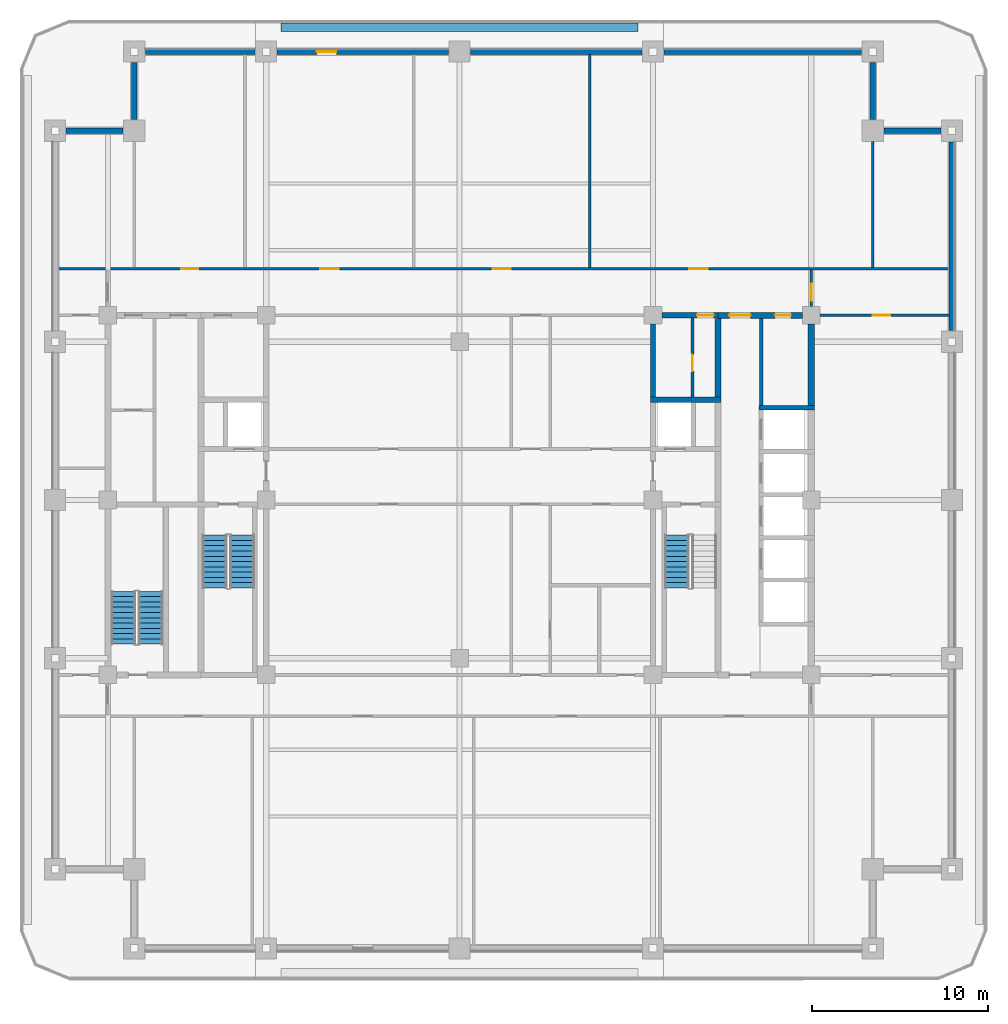
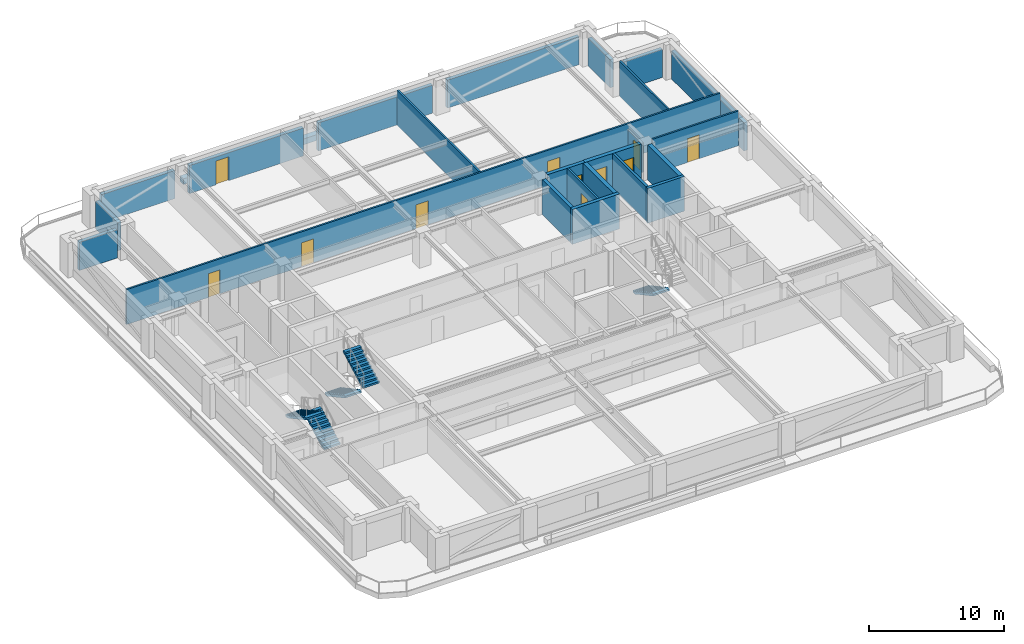
# One storey, part 5 of 13: 24 walls, 11 doors, 5 stair flights, 11 openings, 3 elements without a shape of their own.
"""IFC4 building model written with IfcOpenShell, lengths in metres."""

from ifc_helpers import new_model, si_unit, direction, frame, frame_2d, origin, place, context, subcontext, project, spatial, polyline, rectangle, outline, extrude, material, layer, layer_set, type_object, element, fill, aggregate, save


model = new_model("IFC4")

# Units and contexts
model_context = context("Model", 3, precision=1e-05, world=origin(), true_north=direction((0.0, 1.0)))
body_context = subcontext(model_context, "Body", "Model", "MODEL_VIEW")
ifc_project = project(units=[si_unit("LENGTHUNIT", "METRE"), si_unit("AREAUNIT", "SQUARE_METRE"), si_unit("VOLUMEUNIT", "CUBIC_METRE"), si_unit("PLANEANGLEUNIT", "RADIAN"), si_unit("MASSUNIT", "GRAM", prefix="KILO")], contexts=[model_context])

# Site, building, storey
site_placement = place(None, origin())
site = spatial("IfcSite", under=ifc_project, at=site_placement, CompositionType="ELEMENT")
building_placement = place(site_placement, origin())
building = spatial("IfcBuilding", under=site, at=building_placement, Name="Zulmaris Gate Convention Tower", CompositionType="ELEMENT")
storey_placement = place(building_placement, frame((0.0, 0.0, 112.780029296875)))
storey = spatial("IfcBuildingStorey", under=building, at=storey_placement, Name="L28", CompositionType="ELEMENT", Elevation=112.780029296875)

# Walls
ifc_material_1 = material(Name="Concrete C50/60", Category="concrete")
ifc_layer_1 = layer(ifc_material_1, 0.25, Name="Concrete C50/60")
ifc_layer_set_1 = layer_set([ifc_layer_1], Name="Concrete C50/60")
wall_type_1 = type_object("IfcWallType", Name="CORE-250", PredefinedType="SOLIDWALL", material=ifc_layer_set_1)
wall_1_placement = place(storey_placement, frame((17.02490234375, 5.25, 0.0), z_axis=(0.0, 0.0, 1.0), x_axis=(1.0, 0.0, 0.0)))
element("IfcWall", 1, at=wall_1_placement, inside=storey, type_object=wall_type_1, Name="WL-L28-014", PredefinedType="SOLIDWALL", context=body_context, shape_type="SweptSolid", body=[
    extrude(rectangle(XDim=3.150146484375, YDim=0.25, at=frame_2d((1.5751953125, 0.0))), origin(), (0.0, 0.0, 1.0), 3.144775390625),
])
ifc_layer_2 = layer(ifc_material_1, 0.300048828125, Name="Concrete C50/60")
ifc_layer_set_2 = layer_set([ifc_layer_2], Name="Concrete C50/60")
wall_type_2 = type_object("IfcWallType", Name="CORE-300", PredefinedType="SHEAR", material=ifc_layer_set_2)
wall_2_placement = place(storey_placement, frame((10.85009765625, 5.699951171875, 0.0), z_axis=(0.0, 0.0, 1.0), x_axis=(1.0, 0.0, 0.0)))
element("IfcWall", 2, at=wall_2_placement, inside=storey, type_object=wall_type_2, Name="WL-L28-016", PredefinedType="SHEAR", context=body_context, shape_type="SweptSolid", body=[
    extrude(rectangle(XDim=4.02490234375, YDim=0.300048828125, at=frame_2d((2.012451171875, 0.0))), origin(), (0.0, 0.0, 1.0), 3.144775390625),
])

# Wall, opening, door
wall_3_placement = place(storey_placement, frame((11.50390625, 10.5, 0.0), z_axis=(0.0, 0.0, 1.0), x_axis=(1.0, 0.0, 0.0)))
wall_3 = element("IfcWall", 3, at=wall_3_placement, inside=storey, type_object=wall_type_2, Name="WL-L28-019", PredefinedType="SHEAR", context=body_context, shape_type="SweptSolid", body=[
    extrude(rectangle(XDim=3.196044921875, YDim=0.300048828125, at=frame_2d((1.59814453125, 0.0))), origin(), (0.0, 0.0, 1.0), 3.144775390625),
])
opening_1_placement = place(wall_3_placement, frame((2.0009765625, 0.0, 0.0)))
opening_1 = element("IfcOpeningElement", 4, at=opening_1_placement, cuts=wall_3, Name="Opening D-11", PredefinedType="OPENING", context=body_context, shape_type="SweptSolid", body=[
    extrude(rectangle(XDim=0.949951171875, YDim=2.14990234375, at=frame_2d((0.47509765625, 1.074951171875))), frame((0.0, 0.16015625, 0.0), z_axis=(0.0, -1.0, 0.0), x_axis=(1.0, 0.0, 0.0)), (0.0, 0.0, 1.0), 0.320068359375),
])
ifc_material_2 = material(Name="Fire-Rated Timber", Category="wood")
door_type_1 = type_object("IfcDoorType", Name="DR-950-FD", OperationType="NOTDEFINED", PredefinedType="DOOR", material=ifc_material_2)
door_1_placement = place(opening_1_placement, origin())
door_1 = element("IfcDoor", 5, at=door_1_placement, inside=storey, type_object=door_type_1, Name="L28 Core Linen Closet Door 08", OperationType="SINGLE_SWING_LEFT", OverallHeight=2.14990234375, OverallWidth=0.949951171875, PredefinedType="DOOR", context=body_context, shape_type="SweptSolid", body=[
    extrude(rectangle(XDim=0.949951171875, YDim=2.14990234375, at=frame_2d((0.47509765625, 1.074951171875))), frame((0.0, 0.02490234375, 0.0), z_axis=(0.0, -1.0, 0.0), x_axis=(1.0, 0.0, 0.0)), (0.0, 0.0, 1.0), 0.050048828125),
])
fill(opening_1, door_1)

# Wall
wall_4_placement = place(storey_placement, frame((11.0, 5.85205078125, 0.0), z_axis=(0.0, 0.0, 1.0), x_axis=(0.0, 1.0, 0.0)))
element("IfcWall", 6, at=wall_4_placement, inside=storey, type_object=wall_type_2, Name="WL-L28-050", PredefinedType="SHEAR", context=body_context, shape_type="SweptSolid", body=[
    extrude(rectangle(XDim=4.14404296875, YDim=0.300048828125, at=frame_2d((2.072021484375, 0.0))), origin(), (0.0, 0.0, 1.0), 3.144775390625),
])

# Wall, openings, doors
ifc_material_3 = material(Name="Concrete C55/67", Category="concrete")
ifc_layer_3 = layer(ifc_material_3, 0.35009765625, Name="Concrete C55/67")
ifc_layer_set_3 = layer_set([ifc_layer_3], Name="Concrete C55/67")
wall_type_3 = type_object("IfcWallType", Name="CORE-350", PredefinedType="SHEAR", material=ifc_layer_set_3)
wall_5_placement = place(storey_placement, frame((14.699951171875, 10.5, 0.0), z_axis=(0.0, 0.0, 1.0), x_axis=(1.0, 0.0, 0.0)))
wall_5 = element("IfcWall", 7, at=wall_5_placement, inside=storey, type_object=wall_type_3, Name="WL-L28-020", PredefinedType="SHEAR", context=body_context, shape_type="SweptSolid", body=[
    extrude(rectangle(XDim=4.796142578125, YDim=0.35009765625, at=frame_2d((2.39794921875, 0.0))), origin(), (0.0, 0.0, 1.0), 3.144775390625),
])
opening_2_placement = place(wall_5_placement, frame((0.64990234375, 0.0, 0.0)))
opening_2 = element("IfcOpeningElement", 8, at=opening_2_placement, cuts=wall_5, Name="Opening D-13", PredefinedType="OPENING", context=body_context, shape_type="SweptSolid", body=[
    extrude(rectangle(XDim=1.199951171875, YDim=2.14990234375, at=frame_2d((0.60009765625, 1.074951171875))), frame((0.0, 0.18505859375, 0.0), z_axis=(0.0, -1.0, 0.0), x_axis=(1.0, 0.0, 0.0)), (0.0, 0.0, 1.0), 0.3701171875),
])
opening_3_placement = place(wall_5_placement, frame((3.25, 0.0, 0.0)))
opening_3 = element("IfcOpeningElement", 9, at=opening_3_placement, cuts=wall_5, Name="Opening D-12", PredefinedType="OPENING", context=body_context, shape_type="SweptSolid", body=[
    extrude(rectangle(XDim=0.89990234375, YDim=2.14990234375, at=frame_2d((0.449951171875, 1.074951171875))), frame((0.0, 0.18505859375, 0.0), z_axis=(0.0, -1.0, 0.0), x_axis=(1.0, 0.0, 0.0)), (0.0, 0.0, 1.0), 0.3701171875),
])
ifc_material_4 = material(Name="Fire-Rated Steel", Category="steel")
door_type_2 = type_object("IfcDoorType", Name="DR-1200-FD", OperationType="NOTDEFINED", PredefinedType="DOOR", material=ifc_material_4)
door_2_placement = place(opening_2_placement, origin())
door_2 = element("IfcDoor", 10, at=door_2_placement, inside=storey, type_object=door_type_2, Name="L28 East Lift Lobby North Door 19", OperationType="SINGLE_SWING_RIGHT", OverallHeight=2.14990234375, OverallWidth=1.199951171875, PredefinedType="DOOR", context=body_context, shape_type="SweptSolid", body=[
    extrude(rectangle(XDim=1.199951171875, YDim=2.14990234375, at=frame_2d((0.60009765625, 1.074951171875))), frame((0.0, 0.02490234375, 0.0), z_axis=(0.0, -1.0, 0.0), x_axis=(1.0, 0.0, 0.0)), (0.0, 0.0, 1.0), 0.050048828125),
])
fill(opening_2, door_2)
door_type_3 = type_object("IfcDoorType", Name="DR-900-FD", OperationType="NOTDEFINED", PredefinedType="DOOR", material=ifc_material_2)
door_3_placement = place(opening_3_placement, origin())
door_3 = element("IfcDoor", 11, at=door_3_placement, inside=storey, type_object=door_type_3, Name="L28 Mid-Rise Archive Door 20", OperationType="SINGLE_SWING_LEFT", OverallHeight=2.14990234375, OverallWidth=0.89990234375, PredefinedType="DOOR", context=body_context, shape_type="SweptSolid", body=[
    extrude(rectangle(XDim=0.89990234375, YDim=2.14990234375, at=frame_2d((0.449951171875, 1.074951171875))), frame((0.0, 0.02490234375, 0.0), z_axis=(0.0, -1.0, 0.0), x_axis=(1.0, 0.0, 0.0)), (0.0, 0.0, 1.0), 0.050048828125),
])
fill(opening_3, door_3)

# Walls
wall_6_placement = place(storey_placement, frame((14.699951171875, 5.85205078125, 0.0), z_axis=(0.0, 0.0, 1.0), x_axis=(0.0, 1.0, 0.0)))
element("IfcWall", 12, at=wall_6_placement, inside=storey, type_object=wall_type_3, Name="WL-L28-056", PredefinedType="SHEAR", context=body_context, shape_type="SweptSolid", body=[
    extrude(rectangle(XDim=4.470947265625, YDim=0.35009765625, at=frame_2d((2.2353515625, 0.0))), origin(), (0.0, 0.0, 1.0), 3.144775390625),
])
wall_7_placement = place(storey_placement, frame((20.0, 5.376953125, 0.0), z_axis=(0.0, 0.0, 1.0), x_axis=(0.0, 1.0, 0.0)))
element("IfcWall", 13, at=wall_7_placement, inside=storey, type_object=wall_type_3, Name="WL-L28-068", PredefinedType="SHEAR", context=body_context, shape_type="SweptSolid", body=[
    extrude(rectangle(XDim=4.619140625, YDim=0.35009765625, at=frame_2d((2.3095703125, 0.0))), origin(), (0.0, 0.0, 1.0), 3.144775390625),
])

# Wall, opening, door
ifc_material_5 = material(Name="Gypsum Metal Stud Partition")
ifc_layer_4 = layer(ifc_material_5, 0.14990234375, Name="Gypsum Metal Stud Partition")
ifc_layer_set_4 = layer_set([ifc_layer_4], Name="Gypsum Metal Stud Partition")
wall_type_4 = type_object("IfcWallType", Name="PART-150", PredefinedType="PARTITIONING", material=ifc_layer_set_4)
wall_8_placement = place(storey_placement, frame((20.506103515625, 10.5, 0.0), z_axis=(0.0, 0.0, 1.0), x_axis=(1.0, 0.0, 0.0)))
wall_8 = element("IfcWall", 14, at=wall_8_placement, inside=storey, type_object=wall_type_4, Name="WL-L28-032", PredefinedType="PARTITIONING", context=body_context, shape_type="SweptSolid", body=[
    extrude(rectangle(XDim=7.328857421875, YDim=0.14990234375, at=frame_2d((3.66455078125, 0.0))), origin(), (0.0, 0.0, 1.0), 3.144775390625),
])
opening_4_placement = place(wall_8_placement, frame((2.993896484375, 0.0, 0.0)))
opening_4 = element("IfcOpeningElement", 15, at=opening_4_placement, cuts=wall_8, Name="Opening D-10", PredefinedType="OPENING", context=body_context, shape_type="SweptSolid", body=[
    extrude(rectangle(XDim=1.0, YDim=2.14990234375, at=frame_2d((0.5, 1.074951171875))), frame((0.0, 0.0849609375, 0.0), z_axis=(0.0, -1.0, 0.0), x_axis=(1.0, 0.0, 0.0)), (0.0, 0.0, 1.0), 0.169921875),
])
door_type_4 = type_object("IfcDoorType", Name="DR-1000-FD", OperationType="NOTDEFINED", PredefinedType="DOOR", material=ifc_material_2)
door_4_placement = place(opening_4_placement, origin())
door_4 = element("IfcDoor", 16, at=door_4_placement, inside=storey, type_object=door_type_4, Name="L28 East Workplace North Door 45", OperationType="SINGLE_SWING_RIGHT", OverallHeight=2.14990234375, OverallWidth=1.0, PredefinedType="DOOR", context=body_context, shape_type="SweptSolid", body=[
    extrude(rectangle(XDim=1.0, YDim=2.14990234375, at=frame_2d((0.5, 1.074951171875))), frame((0.0, 0.02490234375, 0.0), z_axis=(0.0, -1.0, 0.0), x_axis=(1.0, 0.0, 0.0)), (0.0, 0.0, 1.0), 0.050048828125),
])
fill(opening_4, door_4)

# Wall, openings, doors
wall_9_placement = place(storey_placement, frame((-22.8349609375, 13.14990234375, 0.0), z_axis=(0.0, 0.0, 1.0), x_axis=(1.0, 0.0, 0.0)))
wall_9 = element("IfcWall", 17, at=wall_9_placement, inside=storey, type_object=wall_type_4, Name="WL-L28-033", PredefinedType="PARTITIONING", context=body_context, shape_type="SweptSolid", body=[
    extrude(rectangle(XDim=50.669921875, YDim=0.14990234375, at=frame_2d((25.3349609375, 0.0))), origin(), (0.0, 0.0, 1.0), 3.144775390625),
])
opening_5_placement = place(wall_9_placement, frame((7.010009765625, 0.0, 0.0)))
opening_5 = element("IfcOpeningElement", 18, at=opening_5_placement, cuts=wall_9, Name="Opening D-11", PredefinedType="OPENING", context=body_context, shape_type="SweptSolid", body=[
    extrude(rectangle(XDim=0.949951171875, YDim=2.14990234375, at=frame_2d((0.47509765625, 1.074951171875))), frame((0.0, 0.0849609375, 0.0), z_axis=(0.0, -1.0, 0.0), x_axis=(1.0, 0.0, 0.0)), (0.0, 0.0, 1.0), 0.169921875),
])
opening_6_placement = place(wall_9_placement, frame((14.909912109375, 0.0, 0.0)))
opening_6 = element("IfcOpeningElement", 19, at=opening_6_placement, cuts=wall_9, Name="Opening D-09", PredefinedType="OPENING", context=body_context, shape_type="SweptSolid", body=[
    extrude(rectangle(XDim=1.050048828125, YDim=2.14990234375, at=frame_2d((0.52490234375, 1.074951171875))), frame((0.0, 0.0849609375, 0.0), z_axis=(0.0, -1.0, 0.0), x_axis=(1.0, 0.0, 0.0)), (0.0, 0.0, 1.0), 0.169921875),
])
opening_7_placement = place(wall_9_placement, frame((24.7099609375, 0.0, 0.0)))
opening_7 = element("IfcOpeningElement", 20, at=opening_7_placement, cuts=wall_9, Name="Opening D-09", PredefinedType="OPENING", context=body_context, shape_type="SweptSolid", body=[
    extrude(rectangle(XDim=1.050048828125, YDim=2.14990234375, at=frame_2d((0.52490234375, 1.074951171875))), frame((0.0, 0.0849609375, 0.0), z_axis=(0.0, -1.0, 0.0), x_axis=(1.0, 0.0, 0.0)), (0.0, 0.0, 1.0), 0.169921875),
])
opening_8_placement = place(wall_9_placement, frame((35.909912109375, 0.0, 0.0)))
opening_8 = element("IfcOpeningElement", 21, at=opening_8_placement, cuts=wall_9, Name="Opening D-09", PredefinedType="OPENING", context=body_context, shape_type="SweptSolid", body=[
    extrude(rectangle(XDim=1.050048828125, YDim=2.14990234375, at=frame_2d((0.52490234375, 1.074951171875))), frame((0.0, 0.0849609375, 0.0), z_axis=(0.0, -1.0, 0.0), x_axis=(1.0, 0.0, 0.0)), (0.0, 0.0, 1.0), 0.169921875),
])
door_type_5 = type_object("IfcDoorType", Name="DR-1050-FD", OperationType="NOTDEFINED", PredefinedType="DOOR", material=ifc_material_4)
door_5_placement = place(opening_6_placement, origin())
door_5 = element("IfcDoor", 22, at=door_5_placement, inside=storey, type_object=door_type_5, Name="L28 Quiet Focus Study Door 26", OperationType="SINGLE_SWING_LEFT", OverallHeight=2.14990234375, OverallWidth=1.050048828125, PredefinedType="DOOR", context=body_context, shape_type="SweptSolid", body=[
    extrude(rectangle(XDim=1.050048828125, YDim=2.14990234375, at=frame_2d((0.52490234375, 1.074951171875))), frame((0.0, 0.02490234375, 0.0), z_axis=(0.0, -1.0, 0.0), x_axis=(1.0, 0.0, 0.0)), (0.0, 0.0, 1.0), 0.050048828125),
])
fill(opening_6, door_5)
door_6_placement = place(opening_7_placement, origin())
door_6 = element("IfcDoor", 23, at=door_6_placement, inside=storey, type_object=door_type_5, Name="L28 Legal Library Room Door 27", OperationType="SINGLE_SWING_RIGHT", OverallHeight=2.14990234375, OverallWidth=1.050048828125, PredefinedType="DOOR", context=body_context, shape_type="SweptSolid", body=[
    extrude(rectangle(XDim=1.050048828125, YDim=2.14990234375, at=frame_2d((0.52490234375, 1.074951171875))), frame((0.0, 0.02490234375, 0.0), z_axis=(0.0, -1.0, 0.0), x_axis=(1.0, 0.0, 0.0)), (0.0, 0.0, 1.0), 0.050048828125),
])
fill(opening_7, door_6)
door_7_placement = place(opening_8_placement, origin())
door_7 = element("IfcDoor", 24, at=door_7_placement, inside=storey, type_object=door_type_5, Name="L28 Editorial Focus Suite Door 28", OperationType="SINGLE_SWING_LEFT", OverallHeight=2.14990234375, OverallWidth=1.050048828125, PredefinedType="DOOR", context=body_context, shape_type="SweptSolid", body=[
    extrude(rectangle(XDim=1.050048828125, YDim=2.14990234375, at=frame_2d((0.52490234375, 1.074951171875))), frame((0.0, 0.02490234375, 0.0), z_axis=(0.0, -1.0, 0.0), x_axis=(1.0, 0.0, 0.0)), (0.0, 0.0, 1.0), 0.050048828125),
])
fill(opening_8, door_7)
door_8_placement = place(opening_5_placement, origin())
door_8 = element("IfcDoor", 25, at=door_8_placement, inside=storey, type_object=door_type_1, Name="L28 Research Reading Room Door 25", OperationType="SINGLE_SWING_RIGHT", OverallHeight=2.14990234375, OverallWidth=0.949951171875, PredefinedType="DOOR", context=body_context, shape_type="SweptSolid", body=[
    extrude(rectangle(XDim=0.949951171875, YDim=2.14990234375, at=frame_2d((0.47509765625, 1.074951171875))), frame((0.0, 0.02490234375, 0.0), z_axis=(0.0, -1.0, 0.0), x_axis=(1.0, 0.0, 0.0)), (0.0, 0.0, 1.0), 0.050048828125),
])
fill(opening_5, door_8)

# Wall
wall_10_placement = place(storey_placement, frame((7.39990234375, 13.22802734375, 0.0), z_axis=(0.0, 0.0, 1.0), x_axis=(0.0, 1.0, 0.0)))
element("IfcWall", 26, at=wall_10_placement, inside=storey, type_object=wall_type_4, Name="WL-L28-084", PredefinedType="PARTITIONING", context=body_context, shape_type="SweptSolid", body=[
    extrude(rectangle(XDim=12.10693359375, YDim=0.14990234375, at=frame_2d((6.053466796875, 0.0))), origin(), (0.0, 0.0, 1.0), 3.144775390625),
])

# Wall, opening, door
wall_11_placement = place(storey_placement, frame((13.25, 5.85302734375, 0.0), z_axis=(0.0, 0.0, 1.0), x_axis=(0.0, 1.0, 0.0)))
wall_11 = element("IfcWall", 27, at=wall_11_placement, inside=storey, type_object=wall_type_4, Name="WL-L28-087", PredefinedType="PARTITIONING", context=body_context, shape_type="SweptSolid", body=[
    extrude(rectangle(XDim=4.493896484375, YDim=0.14990234375, at=frame_2d((2.2470703125, 0.0))), origin(), (0.0, 0.0, 1.0), 3.144775390625),
])
opening_9_placement = place(wall_11_placement, frame((1.471923828125, 0.0, 0.0)))
opening_9 = element("IfcOpeningElement", 28, at=opening_9_placement, cuts=wall_11, Name="Opening D-11", PredefinedType="OPENING", context=body_context, shape_type="SweptSolid", body=[
    extrude(rectangle(XDim=0.949951171875, YDim=2.14990234375, at=frame_2d((0.47509765625, 1.074951171875))), frame((0.0, 0.0849609375, 0.0), z_axis=(0.0, -1.0, 0.0), x_axis=(1.0, 0.0, 0.0)), (0.0, 0.0, 1.0), 0.169921875),
])
door_9_placement = place(opening_9_placement, origin())
door_9 = element("IfcDoor", 29, at=door_9_placement, inside=storey, type_object=door_type_1, Name="L28 Core Service Pantry Door 09", OperationType="SINGLE_SWING_RIGHT", OverallHeight=2.14990234375, OverallWidth=0.949951171875, PredefinedType="DOOR", context=body_context, shape_type="SweptSolid", body=[
    extrude(rectangle(XDim=0.949951171875, YDim=2.14990234375, at=frame_2d((0.47509765625, 1.074951171875))), frame((0.0, 0.02490234375, 0.0), z_axis=(0.0, -1.0, 0.0), x_axis=(1.0, 0.0, 0.0)), (0.0, 0.0, 1.0), 0.050048828125),
])
fill(opening_9, door_9)

wall_12_placement = place(storey_placement, frame((20.0, 11.006103515625, 0.0), z_axis=(0.0, 0.0, 1.0), x_axis=(0.0, 1.0, 0.0)))
wall_12 = element("IfcWall", 30, at=wall_12_placement, inside=storey, type_object=wall_type_4, Name="WL-L28-090", PredefinedType="PARTITIONING", context=body_context, shape_type="SweptSolid", body=[
    extrude(rectangle(XDim=2.06591796875, YDim=0.14990234375, at=frame_2d((1.032958984375, 0.0))), origin(), (0.0, 0.0, 1.0), 2.634765625),
])
opening_10_placement = place(wall_12_placement, frame((0.339111328125, 0.0, 0.0)))
opening_10 = element("IfcOpeningElement", 31, at=opening_10_placement, cuts=wall_12, Name="Opening D-11", PredefinedType="OPENING", context=body_context, shape_type="SweptSolid", body=[
    extrude(rectangle(XDim=0.949951171875, YDim=2.14990234375, at=frame_2d((0.47509765625, 1.074951171875))), frame((0.0, 0.0849609375, 0.0), z_axis=(0.0, -1.0, 0.0), x_axis=(1.0, 0.0, 0.0)), (0.0, 0.0, 1.0), 0.169921875),
])
door_10_placement = place(opening_10_placement, origin())
door_10 = element("IfcDoor", 32, at=door_10_placement, inside=storey, type_object=door_type_1, Name="L28 NE Spur Door 43", OperationType="SINGLE_SWING_RIGHT", OverallHeight=2.14990234375, OverallWidth=0.949951171875, PredefinedType="DOOR", context=body_context, shape_type="SweptSolid", body=[
    extrude(rectangle(XDim=0.949951171875, YDim=2.14990234375, at=frame_2d((0.47509765625, 1.074951171875))), frame((0.0, 0.02490234375, 0.0), z_axis=(0.0, -1.0, 0.0), x_axis=(1.0, 0.0, 0.0)), (0.0, 0.0, 1.0), 0.050048828125),
])
fill(opening_10, door_10)

# Walls
wall_13_placement = place(storey_placement, frame((23.5, 13.22802734375, 0.0), z_axis=(0.0, 0.0, 1.0), x_axis=(0.0, 1.0, 0.0)))
element("IfcWall", 33, at=wall_13_placement, inside=storey, type_object=wall_type_4, Name="WL-L28-092", PredefinedType="PARTITIONING", context=body_context, shape_type="SweptSolid", body=[
    extrude(rectangle(XDim=7.166015625, YDim=0.14990234375, at=frame_2d((3.5830078125, 0.0))), origin(), (0.0, 0.0, 1.0), 3.144775390625),
])
ifc_material_6 = material(Name="Autoclaved Aerated Concrete Block and Plasterboard", Category="concrete")
ifc_layer_5 = layer(ifc_material_6, 0.199951171875, Name="Autoclaved Aerated Concrete Block and Plasterboard")
ifc_layer_set_5 = layer_set([ifc_layer_5], Name="Autoclaved Aerated Concrete Block and Plasterboard")
wall_type_5 = type_object("IfcWallType", Name="PART-200", PredefinedType="PARTITIONING", material=ifc_layer_set_5)
wall_14_placement = place(storey_placement, frame((17.14990234375, 5.3779296875, 0.0), z_axis=(0.0, 0.0, 1.0), x_axis=(0.0, 1.0, 0.0)))
element("IfcWall", 34, at=wall_14_placement, inside=storey, type_object=wall_type_5, Name="WL-L28-088", PredefinedType="PARTITIONING", context=body_context, shape_type="SweptSolid", body=[
    extrude(rectangle(XDim=4.944091796875, YDim=0.199951171875, at=frame_2d((2.47216796875, 0.0))), origin(), (0.0, 0.0, 1.0), 3.144775390625),
])
ifc_material_7 = material(Name="Botanical Green Glazed Precast Concrete C40/50", Category="concrete")
ifc_layer_6 = layer(ifc_material_7, 0.419921875, Name="Botanical Green Glazed Precast Concrete C40/50")
ifc_layer_set_6 = layer_set([ifc_layer_6], Name="Botanical Green Glazed Precast Concrete C40/50")
wall_type_6 = type_object("IfcWallType", Name="PLANTER-CURB-200", PredefinedType="PARAPET", material=ifc_layer_set_6)
wall_15_placement = place(storey_placement, frame((-10.14990234375, 26.8798828125, -0.0400390625), z_axis=(0.0, 0.0, 1.0), x_axis=(1.0, 0.0, 0.0)))
element("IfcWall", 35, at=wall_15_placement, inside=storey, type_object=wall_type_6, Name="L28 Full-Length Balcony Tree Planter Trough", PredefinedType="PARAPET", context=body_context, shape_type="SweptSolid", body=[
    extrude(rectangle(XDim=20.2998046875, YDim=0.47998046875, at=frame_2d((10.14990234375, 0.0))), origin(), (0.0, 0.0, 1.0), 0.52001953125),
])
ifc_material_8 = material(Name="Precast concrete C40/50", Category="concrete")
ifc_layer_7 = layer(ifc_material_8, 0.300048828125, Name="Precast concrete C40/50")
ifc_layer_set_7 = layer_set([ifc_layer_7], Name="Precast concrete C40/50")
wall_type_7 = type_object("IfcWallType", Name="PRECAST-PIER-300", PredefinedType="STANDARD", material=ifc_layer_set_7)
for number, where, z_axis, x_axis, name in (
    (36, (27.3701171875, 21.0, 0.0), (0.0, 0.0, 1.0), (-1.0, 0.0, 0.0), "EW-L28-NOTCH-NE1_0"),
    (37, (23.5, 21.6298828125, 0.0), (0.0, 0.0, 1.0), (0.0, 1.0, 0.0), "EW-L28-NOTCH-NE2_0"),
    (38, (-18.5, 24.8701171875, 0.0), (0.0, 0.0, 1.0), (0.0, -1.0, 0.0), "EW-L28-NOTCH-NW1_0"),
    (39, (-19.1298828125, 21.0, 0.0), (0.0, 0.0, 1.0), (-1.0, 0.0, 0.0), "EW-L28-NOTCH-NW2_0"),
):
    element("IfcWall", number, at=place(storey_placement, frame(where, z_axis=z_axis, x_axis=x_axis)), inside=storey, type_object=wall_type_7, Name=name, PredefinedType="STANDARD", context=body_context, shape_type="SweptSolid", body=[
        extrude(rectangle(XDim=3.240234375, YDim=0.300048828125, at=frame_2d((1.6201171875, 0.0))), origin(), (0.0, 0.0, 1.0), 2.536865234375),
    ])
wall_16_placement = place(storey_placement, frame((-11.6298828125, 25.5, 0.0), z_axis=(0.0, 0.0, 1.0), x_axis=(-1.0, 0.0, 0.0)))
element("IfcWall", 40, at=wall_16_placement, inside=storey, type_object=wall_type_7, Name="EW-L28-N-0_0", PredefinedType="STANDARD", context=body_context, shape_type="SweptSolid", body=[
    extrude(rectangle(XDim=6.240234375, YDim=0.300048828125, at=frame_2d((3.1201171875, 0.0))), origin(), (0.0, 0.0, 1.0), 2.536865234375),
])

# Wall, opening, door
wall_17_placement = place(storey_placement, frame((-0.6298828125, 25.5, 0.0), z_axis=(0.0, 0.0, 1.0), x_axis=(-1.0, 0.0, 0.0)))
wall_17 = element("IfcWall", 41, at=wall_17_placement, inside=storey, type_object=wall_type_7, Name="EW-L28-N-1_0", PredefinedType="STANDARD", context=body_context, shape_type="SweptSolid", body=[
    extrude(rectangle(XDim=9.740234375, YDim=0.300048828125, at=frame_2d((4.8701171875, 0.0))), origin(), (0.0, 0.0, 1.0), 2.536865234375),
])
opening_11_placement = place(wall_17_placement, frame((6.3798828125, 0.0, 0.0)))
opening_11 = element("IfcOpeningElement", 42, at=opening_11_placement, cuts=wall_17, Name="Opening D-04", PredefinedType="OPENING", context=body_context, shape_type="SweptSolid", body=[
    extrude(rectangle(XDim=1.10009765625, YDim=2.14990234375, at=frame_2d((0.550048828125, 1.074951171875))), frame((0.0, 0.16015625, 0.0), z_axis=(0.0, -1.0, 0.0), x_axis=(1.0, 0.0, 0.0)), (0.0, 0.0, 1.0), 0.320068359375),
])
ifc_material_9 = material(Name="Anodised Aluminium and Laminated Glass", Category="aluminium")
door_type_6 = type_object("IfcDoorType", Name="ED-1100", OperationType="SINGLE_SWING_RIGHT", PredefinedType="DOOR", material=ifc_material_9)
door_11_placement = place(opening_11_placement, origin())
door_11 = element("IfcDoor", 43, at=door_11_placement, inside=storey, type_object=door_type_6, Name="L28 N Planted Terrace Door", OperationType="SINGLE_SWING_LEFT", OverallHeight=2.14990234375, OverallWidth=1.10009765625, PredefinedType="DOOR", context=body_context, shape_type="SweptSolid", body=[
    extrude(rectangle(XDim=1.10009765625, YDim=2.14990234375, at=frame_2d((0.550048828125, 1.074951171875))), frame((0.0, 0.02490234375, 0.0), z_axis=(0.0, -1.0, 0.0), x_axis=(1.0, 0.0, 0.0)), (0.0, 0.0, 1.0), 0.050048828125),
])
fill(opening_11, door_11)

# Walls
wall_18_placement = place(storey_placement, frame((10.3701171875, 25.5, 0.0), z_axis=(0.0, 0.0, 1.0), x_axis=(-1.0, 0.0, 0.0)))
element("IfcWall", 44, at=wall_18_placement, inside=storey, type_object=wall_type_7, Name="EW-L28-N-2_0", PredefinedType="STANDARD", context=body_context, shape_type="SweptSolid", body=[
    extrude(rectangle(XDim=9.740234375, YDim=0.300048828125, at=frame_2d((4.8701171875, 0.0))), origin(), (0.0, 0.0, 1.0), 2.536865234375),
])
wall_19_placement = place(storey_placement, frame((22.8701171875, 25.5, 0.0), z_axis=(0.0, 0.0, 1.0), x_axis=(-1.0, 0.0, 0.0)))
element("IfcWall", 45, at=wall_19_placement, inside=storey, type_object=wall_type_7, Name="EW-L28-N-3_0", PredefinedType="STANDARD", context=body_context, shape_type="SweptSolid", body=[
    extrude(rectangle(XDim=11.240234375, YDim=0.300048828125, at=frame_2d((5.6201171875, 0.0))), origin(), (0.0, 0.0, 1.0), 2.536865234375),
])
wall_20_placement = place(storey_placement, frame((28.0, 9.6298828125, 0.0), z_axis=(0.0, 0.0, 1.0), x_axis=(0.0, 1.0, 0.0)))
element("IfcWall", 46, at=wall_20_placement, inside=storey, type_object=wall_type_7, Name="EW-L28-E-3_0", PredefinedType="STANDARD", context=body_context, shape_type="SweptSolid", body=[
    extrude(rectangle(XDim=10.740234375, YDim=0.300048828125, at=frame_2d((5.3701171875, 0.0))), origin(), (0.0, 0.0, 1.0), 2.536865234375),
])

# Stair, stair flights
ifc_material_10 = material(Name="Concrete C45/55", Category="concrete")
stair_type = type_object("IfcStairType", Name="ST-CORE-DOGLEG", PredefinedType="HALF_TURN_STAIR", material=ifc_material_10)
stair_1_placement = place(storey_placement, origin())
stair_1 = element("IfcStair", 47, at=stair_1_placement, inside=storey, type_object=stair_type, Name="L28 Core Exit Stair ST-1", PredefinedType="HALF_TURN_STAIR")
ifc_layer_8 = layer(ifc_material_10, 0.14990234375, Name="Concrete C45/55")
ifc_layer_set_8 = layer_set([ifc_layer_8], Name="Concrete C45/55")
stair_flight_type = type_object("IfcStairFlightType", Name="STF-RC150", PredefinedType="STRAIGHT", material=ifc_layer_set_8)
stair_flight_1_placement = place(storey_placement, frame((-13.919921875, -2.0, 0.0), z_axis=(0.0, 0.0, 1.0), x_axis=(0.0, -1.0, 0.0)))
stair_flight_1 = element("IfcStairFlight", 48, at=stair_flight_1_placement, type_object=stair_flight_type, Name="ST-1 flight 1", NumberOfRisers=11, NumberOfTreads=10, PredefinedType="STRAIGHT", RiserHeight=0.162268182, TreadLength=0.3, context=body_context, shape_type="SweptSolid", body=[
    extrude(outline(polyline([(0.0, 0.0), (0.0, 0.162353515625), (0.300048828125, 0.162353515625), (0.300048828125, 0.324462890625), (0.60009765625, 0.324462890625), (0.60009765625, 0.48681640625), (0.89990234375, 0.48681640625), (0.89990234375, 0.649169921875), (1.199951171875, 0.649169921875), (1.199951171875, 0.811279296875), (1.5, 0.811279296875), (1.5, 0.9736328125), (1.800048828125, 0.9736328125), (1.800048828125, 1.135986328125), (2.10009765625, 1.135986328125), (2.10009765625, 1.298095703125), (2.39990234375, 1.298095703125), (2.39990234375, 1.46044921875), (2.699951171875, 1.46044921875), (2.699951171875, 1.622802734375), (3.0, 1.622802734375), (3.0, 1.784912109375), (3.0, 1.4521484375), (0.315185546875, 0.0), (0.0, 0.0)])), frame((0.0, 0.699951171875, 0.0), z_axis=(0.0, -1.0, 0.0), x_axis=(1.0, 0.0, 0.0)), (0.0, 0.0, 1.0), 1.39990234375),
])
stair_flight_2_placement = place(storey_placement, frame((-12.360107421875, -5.0, 1.784912109375), z_axis=(0.0, 0.0, 1.0), x_axis=(0.0, 1.0, 0.0)))
stair_flight_2 = element("IfcStairFlight", 49, at=stair_flight_2_placement, type_object=stair_flight_type, Name="ST-1 flight 2", NumberOfRisers=11, NumberOfTreads=10, PredefinedType="STRAIGHT", RiserHeight=0.162268182, TreadLength=0.3, context=body_context, shape_type="SweptSolid", body=[
    extrude(outline(polyline([(0.0, 0.0), (0.0, 0.162353515625), (0.300048828125, 0.162353515625), (0.300048828125, 0.324462890625), (0.60009765625, 0.324462890625), (0.60009765625, 0.48681640625), (0.89990234375, 0.48681640625), (0.89990234375, 0.649169921875), (1.199951171875, 0.649169921875), (1.199951171875, 0.811279296875), (1.5, 0.811279296875), (1.5, 0.9736328125), (1.800048828125, 0.9736328125), (1.800048828125, 1.135986328125), (2.10009765625, 1.135986328125), (2.10009765625, 1.298095703125), (2.39990234375, 1.298095703125), (2.39990234375, 1.46044921875), (2.699951171875, 1.46044921875), (2.699951171875, 1.622802734375), (3.0, 1.622802734375), (3.0, 1.784912109375), (3.0, 1.4521484375), (0.315185546875, 0.0), (0.0, 0.0)])), frame((0.0, 0.699951171875, 0.0), z_axis=(0.0, -1.0, 0.0), x_axis=(1.0, 0.0, 0.0)), (0.0, 0.0, 1.0), 1.39990234375),
])
aggregate(stair_1, [stair_flight_1, stair_flight_2])

# Stair, stair flight
stair_2_placement = place(storey_placement, origin())
stair_2 = element("IfcStair", 50, at=stair_2_placement, inside=storey, type_object=stair_type, Name="L28 Core Exit Stair ST-2", PredefinedType="HALF_TURN_STAIR")
stair_flight_3_placement = place(storey_placement, frame((12.360107421875, -2.0, 0.0), z_axis=(0.0, 0.0, 1.0), x_axis=(0.0, -1.0, 0.0)))
stair_flight_3 = element("IfcStairFlight", 51, at=stair_flight_3_placement, type_object=stair_flight_type, Name="ST-2 flight 1", NumberOfRisers=11, NumberOfTreads=10, PredefinedType="STRAIGHT", RiserHeight=0.162268182, TreadLength=0.3, context=body_context, shape_type="SweptSolid", body=[
    extrude(outline(polyline([(0.0, 0.0), (0.0, 0.162353515625), (0.300048828125, 0.162353515625), (0.300048828125, 0.324462890625), (0.60009765625, 0.324462890625), (0.60009765625, 0.48681640625), (0.89990234375, 0.48681640625), (0.89990234375, 0.649169921875), (1.199951171875, 0.649169921875), (1.199951171875, 0.811279296875), (1.5, 0.811279296875), (1.5, 0.9736328125), (1.800048828125, 0.9736328125), (1.800048828125, 1.135986328125), (2.10009765625, 1.135986328125), (2.10009765625, 1.298095703125), (2.39990234375, 1.298095703125), (2.39990234375, 1.46044921875), (2.699951171875, 1.46044921875), (2.699951171875, 1.622802734375), (3.0, 1.622802734375), (3.0, 1.784912109375), (3.0, 1.4521484375), (0.315185546875, 0.0), (0.0, 0.0)])), frame((0.0, 0.699951171875, 0.0), z_axis=(0.0, -1.0, 0.0), x_axis=(1.0, 0.0, 0.0)), (0.0, 0.0, 1.0), 1.39990234375),
])
aggregate(stair_2, [stair_flight_3])

# Stair, stair flights
stair_3_placement = place(storey_placement, origin())
stair_3 = element("IfcStair", 52, at=stair_3_placement, inside=storey, type_object=stair_type, Name="L28 Core Exit Stair ST-3", PredefinedType="HALF_TURN_STAIR")
stair_flight_4_placement = place(storey_placement, frame((-17.56005859375, -8.199951171875, 0.0), z_axis=(0.0, 0.0, 1.0), x_axis=(0.0, 1.0, 0.0)))
stair_flight_4 = element("IfcStairFlight", 53, at=stair_flight_4_placement, type_object=stair_flight_type, Name="ST-3 flight 1", NumberOfRisers=11, NumberOfTreads=10, PredefinedType="STRAIGHT", RiserHeight=0.162268182, TreadLength=0.3, context=body_context, shape_type="SweptSolid", body=[
    extrude(outline(polyline([(0.0, 0.0), (0.0, 0.162353515625), (0.300048828125, 0.162353515625), (0.300048828125, 0.324462890625), (0.60009765625, 0.324462890625), (0.60009765625, 0.48681640625), (0.89990234375, 0.48681640625), (0.89990234375, 0.649169921875), (1.199951171875, 0.649169921875), (1.199951171875, 0.811279296875), (1.5, 0.811279296875), (1.5, 0.9736328125), (1.800048828125, 0.9736328125), (1.800048828125, 1.135986328125), (2.10009765625, 1.135986328125), (2.10009765625, 1.298095703125), (2.39990234375, 1.298095703125), (2.39990234375, 1.46044921875), (2.699951171875, 1.46044921875), (2.699951171875, 1.622802734375), (3.0, 1.622802734375), (3.0, 1.784912109375), (3.0, 1.4521484375), (0.315185546875, 0.0), (0.0, 0.0)])), frame((0.0, 0.699951171875, 0.0), z_axis=(0.0, -1.0, 0.0), x_axis=(1.0, 0.0, 0.0)), (0.0, 0.0, 1.0), 1.39990234375),
])
stair_flight_5_placement = place(storey_placement, frame((-19.1201171875, -5.199951171875, 1.784912109375), z_axis=(0.0, 0.0, 1.0), x_axis=(0.0, -1.0, 0.0)))
stair_flight_5 = element("IfcStairFlight", 54, at=stair_flight_5_placement, type_object=stair_flight_type, Name="ST-3 flight 2", NumberOfRisers=11, NumberOfTreads=10, PredefinedType="STRAIGHT", RiserHeight=0.162268182, TreadLength=0.3, context=body_context, shape_type="SweptSolid", body=[
    extrude(outline(polyline([(0.0, 0.0), (0.0, 0.162353515625), (0.300048828125, 0.162353515625), (0.300048828125, 0.324462890625), (0.60009765625, 0.324462890625), (0.60009765625, 0.48681640625), (0.89990234375, 0.48681640625), (0.89990234375, 0.649169921875), (1.199951171875, 0.649169921875), (1.199951171875, 0.811279296875), (1.5, 0.811279296875), (1.5, 0.9736328125), (1.800048828125, 0.9736328125), (1.800048828125, 1.135986328125), (2.10009765625, 1.135986328125), (2.10009765625, 1.298095703125), (2.39990234375, 1.298095703125), (2.39990234375, 1.46044921875), (2.699951171875, 1.46044921875), (2.699951171875, 1.622802734375), (3.0, 1.622802734375), (3.0, 1.784912109375), (3.0, 1.4521484375), (0.315185546875, 0.0), (0.0, 0.0)])), frame((0.0, 0.699951171875, 0.0), z_axis=(0.0, -1.0, 0.0), x_axis=(1.0, 0.0, 0.0)), (0.0, 0.0, 1.0), 1.39990234375),
])
aggregate(stair_3, [stair_flight_4, stair_flight_5])

save(model, "model.ifc")
